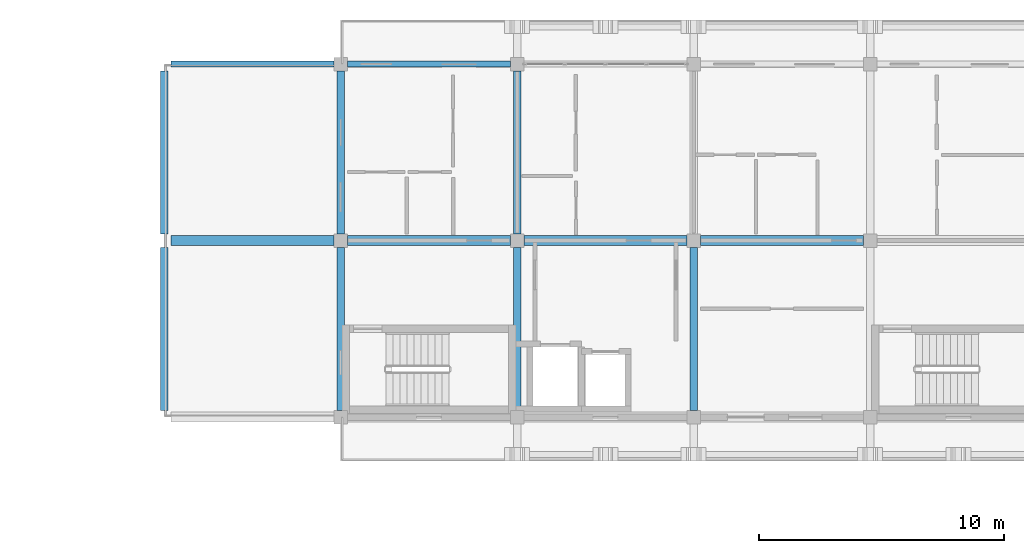
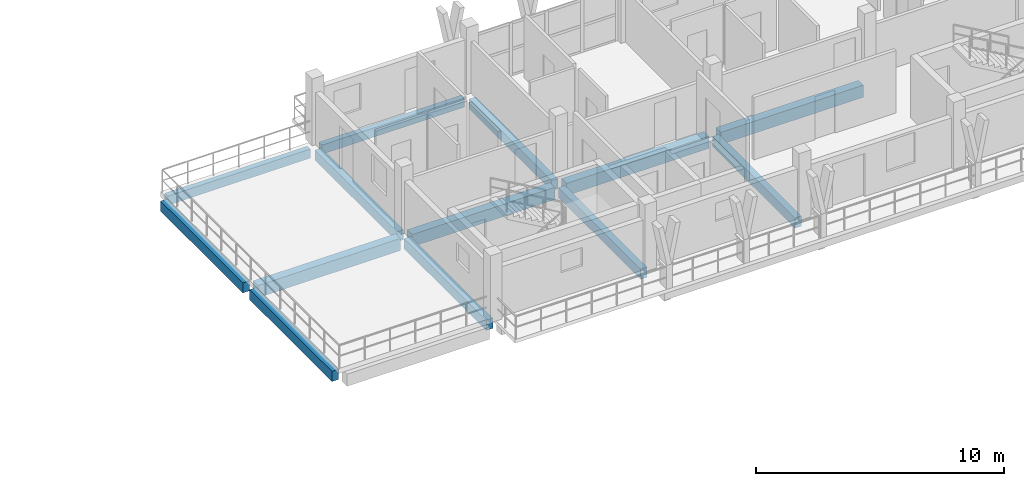
# One storey, part 22 of 60: 13 beams.
"""IFC4 building model written with IfcOpenShell, lengths in metres."""

from ifc_helpers import new_model, si_unit, direction, frame, origin, origin_2d, place, context, subcontext, project, spatial, rectangle, extrude, material, material_profile, profile_set, type_object, element, save


model = new_model("IFC4")

# Units and contexts
model_context = context("Model", 3, precision=1e-05, world=origin(), true_north=direction((0.0, 1.0)))
body_context = subcontext(model_context, "Body", "Model", "MODEL_VIEW")
ifc_project = project(units=[si_unit("LENGTHUNIT", "METRE"), si_unit("AREAUNIT", "SQUARE_METRE"), si_unit("VOLUMEUNIT", "CUBIC_METRE"), si_unit("PLANEANGLEUNIT", "RADIAN"), si_unit("MASSUNIT", "GRAM", prefix="KILO")], contexts=[model_context])

# Site, building, storey
site_placement = place(None, origin())
site = spatial("IfcSite", under=ifc_project, at=site_placement, CompositionType="ELEMENT")
building_placement = place(site_placement, origin())
building = spatial("IfcBuilding", under=site, at=building_placement, Name="Suanplinth Sawtooth Commons", CompositionType="ELEMENT")
storey_placement = place(building_placement, frame((0.0, 0.0, 31.5)))
storey = spatial("IfcBuildingStorey", under=building, at=storey_placement, Name="L09", CompositionType="ELEMENT", Elevation=31.5)

# Beams
ifc_material = material(Name="Precast concrete C40/50", Category="concrete")
ifc_material_profile_1 = material_profile(ifc_material, rectangle(XDim=0.39990234375, YDim=0.60009765625, at=origin_2d()), Name="PC-GDR 400x600")
ifc_profile_set_1 = profile_set([ifc_material_profile_1], Name="Precast concrete C40/50")
beam_type_1 = type_object("IfcBeamType", Name="B-05", PredefinedType="USERDEFINED", material=ifc_profile_set_1)
beam_1_placement = place(storey_placement, frame((129.875, 115.199951171875, -0.550048828125), z_axis=(1.0, 0.0, 0.0), x_axis=(0.0, 1.0, 0.0)))
element("IfcBeam", 1, at=beam_1_placement, inside=storey, type_object=beam_type_1, Name="BMX-L09-B-18-16", ObjectType="GIRDER", PredefinedType="USERDEFINED", context=body_context, shape_type="SweptSolid", body=[
    extrude(rectangle(XDim=0.39990234375, YDim=0.60009765625, at=origin_2d()), origin(), (0.0, 0.0, 1.0), 6.64990234375),
])
for number, where, z_axis, x_axis, name in (
    (2, (137.074951171875, 115.199951171875, -0.550048828125), (1.0, 0.0, 0.0), (0.0, 1.0, 0.0), "BMX-L09-B-19-16"),
    (3, (144.27490234375, 115.199951171875, -0.550048828125), (1.0, 0.0, 0.0), (0.0, 1.0, 0.0), "BMX-L09-B-20-16"),
):
    element("IfcBeam", number, at=place(storey_placement, frame(where, z_axis=z_axis, x_axis=x_axis)), inside=storey, type_object=beam_type_1, Name=name, ObjectType="GIRDER", PredefinedType="USERDEFINED", context=body_context, shape_type="SweptSolid", body=[
        extrude(rectangle(XDim=0.39990234375, YDim=0.60009765625, at=origin_2d()), origin(), (0.0, 0.0, 1.0), 6.650146484375),
    ])
beam_2_placement = place(storey_placement, frame((151.47509765625, 115.199951171875, -0.550048828125), z_axis=(1.0, 0.0, 0.0), x_axis=(0.0, 1.0, 0.0)))
element("IfcBeam", 4, at=beam_2_placement, inside=storey, type_object=beam_type_1, Name="BMX-L09-B-21-16", ObjectType="GIRDER", PredefinedType="USERDEFINED", context=body_context, shape_type="SweptSolid", body=[
    extrude(rectangle(XDim=0.39990234375, YDim=0.60009765625, at=origin_2d()), origin(), (0.0, 0.0, 1.0), 6.64990234375),
])
ifc_material_profile_2 = material_profile(ifc_material, rectangle(XDim=0.300048828125, YDim=0.5, at=origin_2d()), Name="PC-BM 300x500")
ifc_profile_set_2 = profile_set([ifc_material_profile_2], Name="Precast concrete C40/50")
beam_type_2 = type_object("IfcBeamType", Name="B-07", PredefinedType="BEAM", material=ifc_profile_set_2)
beam_3_placement = place(storey_placement, frame((129.60009765625, 108.27490234375, -0.5), z_axis=(0.0, 1.0, 0.0), x_axis=(-1.0, 0.0, 0.0)))
element("IfcBeam", 5, at=beam_3_placement, inside=storey, type_object=beam_type_2, Name="BMY-L09-B-18-15", PredefinedType="BEAM", context=body_context, shape_type="SweptSolid", body=[
    extrude(rectangle(XDim=0.300048828125, YDim=0.5, at=origin_2d()), origin(), (0.0, 0.0, 1.0), 6.650146484375),
])
beam_4_placement = place(storey_placement, frame((129.60009765625, 115.47509765625, -0.5), z_axis=(0.0, 1.0, 0.0), x_axis=(-1.0, 0.0, 0.0)))
element("IfcBeam", 6, at=beam_4_placement, inside=storey, type_object=beam_type_2, Name="BMY-L09-B-18-16", PredefinedType="BEAM", context=body_context, shape_type="SweptSolid", body=[
    extrude(rectangle(XDim=0.300048828125, YDim=0.5, at=origin_2d()), origin(), (0.0, 0.0, 1.0), 6.64990234375),
])
beam_5_placement = place(storey_placement, frame((136.800048828125, 108.27490234375, -0.5), z_axis=(0.0, 1.0, 0.0), x_axis=(-1.0, 0.0, 0.0)))
element("IfcBeam", 7, at=beam_5_placement, inside=storey, type_object=beam_type_2, Name="BMY-L09-B-19-15", PredefinedType="BEAM", context=body_context, shape_type="SweptSolid", body=[
    extrude(rectangle(XDim=0.300048828125, YDim=0.5, at=origin_2d()), origin(), (0.0, 0.0, 1.0), 6.650146484375),
])
beam_6_placement = place(storey_placement, frame((136.800048828125, 115.47509765625, -0.5), z_axis=(0.0, 1.0, 0.0), x_axis=(-1.0, 0.0, 0.0)))
element("IfcBeam", 8, at=beam_6_placement, inside=storey, type_object=beam_type_2, Name="BMY-L09-B-19-16", PredefinedType="BEAM", context=body_context, shape_type="SweptSolid", body=[
    extrude(rectangle(XDim=0.300048828125, YDim=0.5, at=origin_2d()), origin(), (0.0, 0.0, 1.0), 6.64990234375),
])
beam_7_placement = place(storey_placement, frame((144.0, 108.27490234375, -0.5), z_axis=(0.0, 1.0, 0.0), x_axis=(-1.0, 0.0, 0.0)))
element("IfcBeam", 9, at=beam_7_placement, inside=storey, type_object=beam_type_2, Name="BMY-L09-B-20-15", PredefinedType="BEAM", context=body_context, shape_type="SweptSolid", body=[
    extrude(rectangle(XDim=0.300048828125, YDim=0.5, at=origin_2d()), origin(), (0.0, 0.0, 1.0), 6.650146484375),
])
beam_8_placement = place(storey_placement, frame((144.0, 115.47509765625, -0.5), z_axis=(0.0, 1.0, 0.0), x_axis=(-1.0, 0.0, 0.0)))
element("IfcBeam", 10, at=beam_8_placement, inside=storey, type_object=beam_type_2, Name="BMY-L09-B-20-16", PredefinedType="BEAM", context=body_context, shape_type="SweptSolid", body=[
    extrude(rectangle(XDim=0.300048828125, YDim=0.5, at=origin_2d()), origin(), (0.0, 0.0, 1.0), 6.64990234375),
])
beam_9_placement = place(storey_placement, frame((151.199951171875, 108.27490234375, -0.5), z_axis=(0.0, 1.0, 0.0), x_axis=(-1.0, 0.0, 0.0)))
element("IfcBeam", 11, at=beam_9_placement, inside=storey, type_object=beam_type_2, Name="BMY-L09-B-21-15", PredefinedType="BEAM", context=body_context, shape_type="SweptSolid", body=[
    extrude(rectangle(XDim=0.300048828125, YDim=0.5, at=origin_2d()), origin(), (0.0, 0.0, 1.0), 6.650146484375),
])
ifc_material_profile_3 = material_profile(ifc_material, rectangle(XDim=0.25, YDim=0.449951171875, at=origin_2d()), Name="PC-SP 250x450")
ifc_profile_set_3 = profile_set([ifc_material_profile_3], Name="Precast concrete C40/50")
beam_type_3 = type_object("IfcBeamType", Name="B-09", PredefinedType="SPANDREL", material=ifc_profile_set_3)
beam_10_placement = place(storey_placement, frame((129.875, 122.39990234375, -0.47509765625), z_axis=(1.0, 0.0, 0.0), x_axis=(0.0, 1.0, 0.0)))
element("IfcBeam", 12, at=beam_10_placement, inside=storey, type_object=beam_type_3, Name="BMX-L09-B-18-17", PredefinedType="SPANDREL", context=body_context, shape_type="SweptSolid", body=[
    extrude(rectangle(XDim=0.25, YDim=0.449951171875, at=origin_2d()), origin(), (0.0, 0.0, 1.0), 6.64990234375),
])
beam_11_placement = place(storey_placement, frame((137.074951171875, 122.39990234375, -0.47509765625), z_axis=(1.0, 0.0, 0.0), x_axis=(0.0, 1.0, 0.0)))
element("IfcBeam", 13, at=beam_11_placement, inside=storey, type_object=beam_type_3, Name="BMX-L09-B-19-17", PredefinedType="SPANDREL", context=body_context, shape_type="SweptSolid", body=[
    extrude(rectangle(XDim=0.25, YDim=0.449951171875, at=origin_2d()), origin(), (0.0, 0.0, 1.0), 6.650146484375),
])

save(model, "model.ifc")
